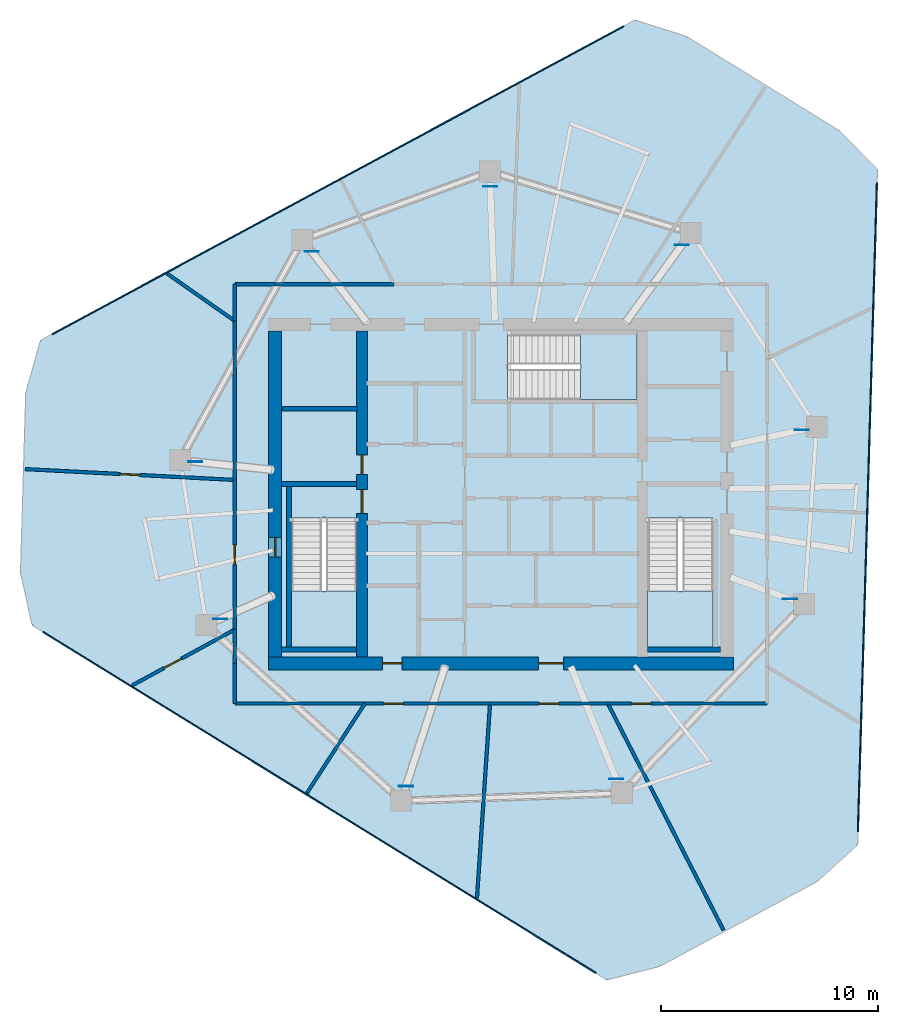
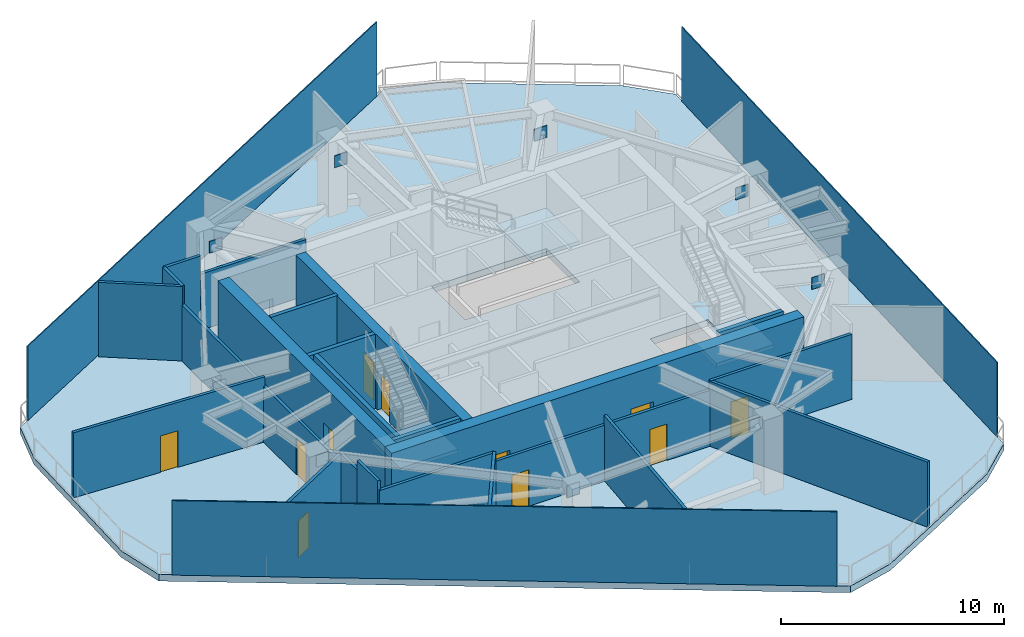
# One storey, part 2 of 6: 25 walls, 12 plates, 11 doors, 4 slabs, 11 openings, 3 elements without a shape of their own.
"""IFC4 building model written with IfcOpenShell, lengths in metres."""

import ifcopenshell
import ifcopenshell.guid

model = None  # the IFC model being written
_history = None  # IfcOwnerHistory: only IFC2X3 demands one
_inside = {}  # id of a spatial element -> (the spatial element, [elements in it])
_under = {}  # id of a project, library or spatial element -> (it, [spatial elements below it])
_declared = {}  # id of a project -> (the project, [libraries it declares])
_typed = {}  # id of a type object -> (the type object, [elements of that type])
_made_of = {}  # id of a material, layer set ... -> (it, [elements and type objects made of it])


def new_model(schema):
    """Start an empty IFC model of exactly this schema.

    Asked for "IFC4X3", IfcOpenShell would pick the latest addendum, in which some entities
    have other attributes; the version numbers below select the first issue.
    IFC2X3 requires an IfcOwnerHistory on every rooted entity: one is made here for all.
    """
    global model, _history
    if schema == "IFC4X3":
        model = ifcopenshell.file(schema_version=(4, 3, 0, 0))
    else:
        model = ifcopenshell.file(schema=schema)
    _inside.clear()
    _under.clear()
    _declared.clear()
    _typed.clear()
    _made_of.clear()
    _history = None
    if model.schema == "IFC2X3":
        org = make("IfcOrganization", Name="unknown")
        user = make(
            "IfcPersonAndOrganization",
            ThePerson=make("IfcPerson", FamilyName="unknown"),
            TheOrganization=org,
        )
        app = make(
            "IfcApplication",
            ApplicationDeveloper=org,
            Version="unknown",
            ApplicationFullName="unknown",
            ApplicationIdentifier="unknown",
        )
        _history = make(
            "IfcOwnerHistory",
            OwningUser=user,
            OwningApplication=app,
            ChangeAction="ADDED",
            CreationDate=0,
        )
    return model


def make(cls, **values):
    """One entity of the class cls with the attributes given. An attribute that is None is left unset."""
    return model.create_entity(
        cls, **{name: value for name, value in values.items() if value is not None}
    )


def rooted(cls, **values):
    """An entity with a GlobalId (a new one), such as an element, a storey or a relation."""
    return make(cls, GlobalId=ifcopenshell.guid.new(), OwnerHistory=_history, **values)


def si_unit(unit_type, name, prefix=None):
    """IfcSIUnit, for example si_unit("LENGTHUNIT", "METRE", prefix="MILLI")."""
    return make("IfcSIUnit", UnitType=unit_type, Prefix=prefix, Name=name)


def assignment(units):
    """IfcUnitAssignment: the units of a project."""
    return None if units is None else make("IfcUnitAssignment", Units=units)


def point(xyz):
    """IfcCartesianPoint."""
    return None if xyz is None else make("IfcCartesianPoint", Coordinates=xyz)


def direction(xyz):
    """IfcDirection."""
    return None if xyz is None else make("IfcDirection", DirectionRatios=xyz)


def frame(location, z_axis=None, x_axis=None):
    """IfcAxis2Placement3D, a coordinate frame: its origin and axes. An axis left out is left unset."""
    return make(
        "IfcAxis2Placement3D",
        Location=point(location),
        Axis=direction(z_axis),
        RefDirection=direction(x_axis),
    )


def frame_2d(location, x_axis=None):
    """IfcAxis2Placement2D, a coordinate frame in the plane: its origin and x axis."""
    return make(
        "IfcAxis2Placement2D", Location=point(location), RefDirection=direction(x_axis)
    )


def origin():
    """The frame at (0, 0, 0) with its axes left unset."""
    return frame((0.0, 0.0, 0.0))


def origin_2d():
    """The frame at (0, 0) in the plane with its x axis left unset."""
    return frame_2d((0.0, 0.0))


def place(relative_to, where):
    """IfcLocalPlacement: puts the frame where relative to a parent placement (None: the world)."""
    return make(
        "IfcLocalPlacement", PlacementRelTo=relative_to, RelativePlacement=where
    )


def context(
    kind, dimensions, precision=None, world=None, true_north=None, identifier=None
):
    """IfcGeometricRepresentationContext, for example the 3D "Model" context."""
    return make(
        "IfcGeometricRepresentationContext",
        ContextIdentifier=identifier,
        ContextType=kind,
        CoordinateSpaceDimension=dimensions,
        Precision=precision,
        WorldCoordinateSystem=world,
        TrueNorth=true_north,
    )


def subcontext(parent, identifier, kind, view, scale=None):
    """IfcGeometricRepresentationSubContext, for example "Body" below "Model"."""
    return make(
        "IfcGeometricRepresentationSubContext",
        ContextIdentifier=identifier,
        ContextType=kind,
        ParentContext=parent,
        TargetScale=scale,
        TargetView=view,
    )


def project(units=None, contexts=None):
    """IfcProject with its units and contexts."""
    return rooted(
        "IfcProject",
        Name="project",
        RepresentationContexts=contexts,
        UnitsInContext=assignment(units),
    )


def spatial(cls, under=None, at=None, **own):
    """A site, building, storey or space (cls), placed at a placement, below another one or the project."""
    s = rooted(cls, ObjectPlacement=at, **own)
    if under is not None:
        _under.setdefault(under.id(), (under, []))[1].append(s)
    return s


def polyline(points):
    """IfcPolyline through the points."""
    return make("IfcPolyline", Points=[point(p) for p in points])


def profile(cls, at=None, kind="AREA", **sizes):
    """A parametric profile (cls). Its sizes go by their IFC names, for example OverallWidth=200.0."""
    return make(cls, ProfileType=kind, Position=at, **sizes)


def rectangle(**sizes):
    """IfcRectangleProfileDef."""
    return profile("IfcRectangleProfileDef", **sizes)


def outline(outer, holes=None, kind="AREA"):
    """IfcArbitraryClosedProfileDef: a profile drawn as a closed curve; with holes, ...WithVoids."""
    if holes is None:
        return make("IfcArbitraryClosedProfileDef", ProfileType=kind, OuterCurve=outer)
    return make(
        "IfcArbitraryProfileDefWithVoids",
        ProfileType=kind,
        OuterCurve=outer,
        InnerCurves=holes,
    )


def extrude(swept, where, along, depth):
    """IfcExtrudedAreaSolid: the profile swept, set in the frame where, extruded along a direction by depth."""
    return make(
        "IfcExtrudedAreaSolid",
        SweptArea=swept,
        Position=where,
        ExtrudedDirection=direction(along),
        Depth=depth,
    )


def shape(context_of_items, identifier, shape_type, items):
    """IfcShapeRepresentation: the items that make up one representation, for example the "Body"."""
    return make(
        "IfcShapeRepresentation",
        ContextOfItems=context_of_items,
        RepresentationIdentifier=identifier,
        RepresentationType=shape_type,
        Items=items,
    )


def material(Name=None, Category=None):
    """IfcMaterial."""
    return make("IfcMaterial", Name=Name, Category=Category)


def layer(
    of_material, thickness, ventilated=None, Name=None, Category=None, Priority=None
):
    """IfcMaterialLayer: one layer of a wall or slab, of a material (None: an air gap)."""
    return make(
        "IfcMaterialLayer",
        Material=of_material,
        LayerThickness=thickness,
        IsVentilated=ventilated,
        Name=Name,
        Category=Category,
        Priority=Priority,
    )


def layer_set(layers, Name=None):
    """IfcMaterialLayerSet."""
    return make("IfcMaterialLayerSet", MaterialLayers=layers, LayerSetName=Name)


def made_of(thing, what):
    """Note that an element or type object is made of a material, layer set ...; save() writes the relation."""
    if what is not None:
        _made_of.setdefault(what.id(), (what, []))[1].append(thing)
    return thing


def type_object(cls, material=None, **own):
    """A type object (cls), such as IfcWallType, which elements share."""
    return made_of(rooted(cls, **own), material)


def element(
    cls,
    number,
    at=None,
    inside=None,
    cuts=None,
    type_object=None,
    material=None,
    context=None,
    identifier="Body",
    shape_type=None,
    held_by="IfcProductDefinitionShape",
    body=None,
    shapes=None,
    **own,
):
    """One element of the class cls, such as IfcWall. Its Tag is "e" and its number.

    at: its placement. inside: the storey or other place that contains it. cuts: it is an
    opening in that element (IfcRelVoidsElement). A single representation is given by context,
    identifier, shape_type and body (its items); several are given by shapes. held_by: the class
    of the entity that holds the representations. save() writes the other relations.
    """
    e = rooted(cls, Tag="e%d" % number, ObjectPlacement=at, **own)
    if body is not None:
        shapes = [shape(context, identifier, shape_type, body)]
    if shapes is not None:
        e.Representation = make(held_by, Representations=shapes)
    if inside is not None:
        _inside.setdefault(inside.id(), (inside, []))[1].append(e)
    if cuts is not None:
        rooted(
            "IfcRelVoidsElement", RelatingBuildingElement=cuts, RelatedOpeningElement=e
        )
    if type_object is not None:
        _typed.setdefault(type_object.id(), (type_object, []))[1].append(e)
    return made_of(e, material)


def fill(opening, filler):
    """IfcRelFillsElement: the door or window that sits in an opening."""
    return rooted(
        "IfcRelFillsElement",
        RelatingOpeningElement=opening,
        RelatedBuildingElement=filler,
    )


def aggregate(whole, parts):
    """IfcRelAggregates: a whole, such as a stair, and the parts it consists of."""
    return rooted("IfcRelAggregates", RelatingObject=whole, RelatedObjects=parts)


def save(model, path):
    """Write the relations noted so far, then the file.

    IfcRelAggregates (storeys below a building ...), IfcRelContainedInSpatialStructure (elements
    in a storey), IfcRelDefinesByType, IfcRelAssociatesMaterial and IfcRelDeclares: one each for
    every whole, place, type object, material and project.
    """
    for whole, parts in _under.values():
        aggregate(whole, parts)
    for where, things in _inside.values():
        rooted(
            "IfcRelContainedInSpatialStructure",
            RelatedElements=things,
            RelatingStructure=where,
        )
    for kind, things in _typed.values():
        rooted("IfcRelDefinesByType", RelatedObjects=things, RelatingType=kind)
    for what, things in _made_of.values():
        rooted("IfcRelAssociatesMaterial", RelatedObjects=things, RelatingMaterial=what)
    for by, libraries in _declared.values():
        rooted("IfcRelDeclares", RelatingContext=by, RelatedDefinitions=libraries)
    model.write(path)


model = new_model("IFC4")

# Units and contexts
model_context = context("Model", 3, precision=1e-05, world=origin(), true_north=direction((0.0, 1.0)))
body_context = subcontext(model_context, "Body", "Model", "MODEL_VIEW")
ifc_project = project(units=[si_unit("LENGTHUNIT", "METRE"), si_unit("AREAUNIT", "SQUARE_METRE"), si_unit("VOLUMEUNIT", "CUBIC_METRE"), si_unit("PLANEANGLEUNIT", "RADIAN"), si_unit("MASSUNIT", "GRAM", prefix="KILO")], contexts=[model_context])

# Site, building, storey
site_placement = place(None, origin())
site = spatial("IfcSite", under=ifc_project, at=site_placement, CompositionType="ELEMENT")
building_placement = place(site_placement, origin())
building = spatial("IfcBuilding", under=site, at=building_placement, Name="Qarnah Convention Tower", CompositionType="ELEMENT")
storey_placement = place(building_placement, frame((0.0, 0.0, 172.5)))
storey = spatial("IfcBuildingStorey", under=building, at=storey_placement, Name="L46", CompositionType="ELEMENT", Elevation=172.5)

# Plates
ifc_material_1 = material(Name="Structural steel S355JR", Category="steel")
ifc_layer_1 = layer(ifc_material_1, 0.028076171875)
ifc_layer_set_1 = layer_set([ifc_layer_1], Name="Structural steel S355JR")
plate_type_1 = type_object("IfcPlateType", Name="PLT-FLANGE-28", PredefinedType="USERDEFINED", material=ifc_layer_set_1)
for number, where, z_axis, x_axis, name in (
    (1, (51.041015625, 29.342041015625, 2.795166015625), (0.0, 0.0, 1.0), (1.0, 0.0, 0.0), "L46 outrigger node flange plate 01"),
    (2, (45.51708984375, 37.847900390625, 2.795166015625), (0.0, 0.0, 1.0), (1.0, 0.0, 0.0), "L46 outrigger node flange plate 02"),
    (3, (36.7060546875, 40.541015625, 2.795166015625), (0.0, 0.0, 1.0), (1.0, 0.0, 0.0), "L46 outrigger node flange plate 03"),
    (4, (28.488037109375, 37.550048828125, 2.795166015625), (0.0, 0.0, 1.0), (1.0, 0.0, 0.0), "L46 outrigger node flange plate 04"),
    (5, (23.1279296875, 27.87890625, 2.795166015625), (0.0, 0.0, 1.0), (1.0, 0.0, 0.0), "L46 outrigger node flange plate 05"),
    (6, (24.27294921875, 20.64501953125, 2.795166015625), (0.0, 0.0, 1.0), (1.0, 0.0, 0.0), "L46 outrigger node flange plate 06"),
    (7, (32.826904296875, 12.943115234375, 2.795166015625), (0.0, 0.0, 1.0), (1.0, 0.0, 0.0), "L46 outrigger node flange plate 07"),
    (8, (42.5009765625, 13.280029296875, 2.795166015625), (0.0, 0.0, 1.0), (1.0, 0.0, 0.0), "L46 outrigger node flange plate 08"),
    (9, (50.4970703125, 21.56005859375, 2.795166015625), (0.0, 0.0, 1.0), (1.0, 0.0, 0.0), "L46 outrigger node flange plate 09"),
):
    element("IfcPlate", number, at=place(storey_placement, frame(where, z_axis=z_axis, x_axis=x_axis)), inside=storey, type_object=plate_type_1, Name=name, ObjectType="FLANGE_PLATE", PredefinedType="USERDEFINED", context=body_context, shape_type="SweptSolid", body=[
        extrude(rectangle(XDim=0.64990234375, YDim=0.028076171875, at=origin_2d()), origin(), (0.0, 0.0, 1.0), 0.64990234375),
    ])
ifc_material_2 = material(Name="Black anodised aluminium", Category="aluminium")
ifc_layer_2 = layer(ifc_material_2, 0.054931640625)
ifc_layer_set_2 = layer_set([ifc_layer_2], Name="Black anodised aluminium")
plate_type_2 = type_object("IfcPlateType", Name="SCR-SKG-24", PredefinedType="USERDEFINED", material=ifc_layer_set_2)
plate_1_placement = place(storey_placement, frame((28.842041015625, 12.193115234375, 0.0), z_axis=(0.0, 0.0, 1.0), x_axis=(-0.851001814533, 0.525162747786, 0.0)))
element("IfcPlate", 10, at=plate_1_placement, inside=storey, type_object=plate_type_2, Name="L46 mechanical plant acoustic solar screen 1", ObjectType="SCREEN", PredefinedType="USERDEFINED", context=body_context, shape_type="SweptSolid", body=[
    extrude(rectangle(XDim=29.8798828125, YDim=0.054931640625, at=origin_2d()), origin(), (0.0, 0.0, 1.0), 4.080078125),
])
plate_2_placement = place(storey_placement, frame((54.070068359375, 25.7880859375, 0.0), z_axis=(0.0, 0.0, 1.0), x_axis=(-0.029312096335, -0.999570308187, 0.0)))
element("IfcPlate", 11, at=plate_2_placement, inside=storey, type_object=plate_type_2, Name="L46 mechanical plant acoustic solar screen 2", ObjectType="SCREEN", PredefinedType="USERDEFINED", context=body_context, shape_type="SweptSolid", body=[
    extrude(rectangle(XDim=29.87890625, YDim=0.054931640625, at=origin_2d()), origin(), (0.0, 0.0, 1.0), 4.080078125),
])
plate_3_placement = place(storey_placement, frame((29.681884765625, 40.837890625, 0.0), z_axis=(0.0, 0.0, 1.0), x_axis=(0.880320091497, 0.474380160322, 0.0)))
element("IfcPlate", 12, at=plate_3_placement, inside=storey, type_object=plate_type_2, Name="L46 mechanical plant acoustic solar screen 3", ObjectType="SCREEN", PredefinedType="USERDEFINED", context=body_context, shape_type="SweptSolid", body=[
    extrude(rectangle(XDim=29.8779296875, YDim=0.054931640625, at=origin_2d()), origin(), (0.0, 0.0, 1.0), 4.080078125),
])

# Stair, slab
ifc_material_3 = material(Name="Concrete C50/60", Category="concrete")
stair_type = type_object("IfcStairType", Name="STR-PLT", PredefinedType="HALF_TURN_STAIR", material=ifc_material_3)
stair_1_placement = place(storey_placement, origin())
stair_1 = element("IfcStair", 13, at=stair_1_placement, inside=storey, type_object=stair_type, Name="L46 Core exit stair ST-1", PredefinedType="HALF_TURN_STAIR")
ifc_layer_3 = layer(ifc_material_3, 0.199951171875)
ifc_layer_set_3 = layer_set([ifc_layer_3], Name="Concrete C50/60")
slab_type_1 = type_object("IfcSlabType", Name="SLB-LANDING-200", PredefinedType="LANDING", material=ifc_layer_set_3)
slab_1_placement = place(storey_placement, frame((0.0, 0.0, 2.050048828125)))
slab_1 = element("IfcSlab", 14, at=slab_1_placement, type_object=slab_type_1, Name="ST-1 landing 1", PredefinedType="LANDING", context=body_context, shape_type="SweptSolid", body=[
    extrude(outline(polyline([(27.550048828125, 21.93994140625), (27.550048828125, 19.35009765625), (30.550048828125, 19.35009765625), (30.550048828125, 21.93994140625), (27.550048828125, 21.93994140625)])), origin(), (0.0, 0.0, 1.0), 0.199951171875),
])
aggregate(stair_1, [slab_1])

stair_2_placement = place(storey_placement, origin())
stair_2 = element("IfcStair", 15, at=stair_2_placement, inside=storey, type_object=stair_type, Name="L46 Core exit stair ST-2", PredefinedType="HALF_TURN_STAIR")
slab_2_placement = place(storey_placement, frame((0.0, 0.0, 2.050048828125)))
slab_2 = element("IfcSlab", 16, at=slab_2_placement, type_object=slab_type_1, Name="ST-2 landing 1", PredefinedType="LANDING", context=body_context, shape_type="SweptSolid", body=[
    extrude(outline(polyline([(43.949951171875, 21.93994140625), (43.949951171875, 19.35009765625), (46.949951171875, 19.35009765625), (46.949951171875, 21.93994140625), (43.949951171875, 21.93994140625)])), origin(), (0.0, 0.0, 1.0), 0.199951171875),
])
aggregate(stair_2, [slab_2])

stair_3_placement = place(storey_placement, origin())
stair_3 = element("IfcStair", 17, at=stair_3_placement, inside=storey, type_object=stair_type, Name="L46 Core exit stair ST-3", PredefinedType="HALF_TURN_STAIR")
slab_3_placement = place(storey_placement, frame((0.0, 0.0, 2.050048828125)))
slab_3 = element("IfcSlab", 18, at=slab_3_placement, type_object=slab_type_1, Name="ST-3 landing 1", PredefinedType="LANDING", context=body_context, shape_type="SweptSolid", body=[
    extrude(outline(polyline([(40.860107421875, 30.75), (43.449951171875, 30.75), (43.449951171875, 33.75), (40.860107421875, 33.75), (40.860107421875, 30.75)])), origin(), (0.0, 0.0, 1.0), 0.199951171875),
])
aggregate(stair_3, [slab_3])

# Slab
ifc_layer_4 = layer(ifc_material_3, 0.360107421875)
ifc_layer_set_4 = layer_set([ifc_layer_4], Name="Concrete C50/60")
slab_type_2 = type_object("IfcSlabType", Name="SLB-PLT-360", PredefinedType="FLOOR", material=ifc_layer_set_4)
slab_4_placement = place(storey_placement, frame((0.0, 0.0, -0.360107421875)))
element("IfcSlab", 19, at=slab_4_placement, inside=storey, type_object=slab_type_2, Name="L46 structural floor slab", PredefinedType="FLOOR", context=body_context, shape_type="SweptSolid", body=[
    extrude(outline(polyline([(43.361083984375, 48.2099609375), (16.001953125, 33.467041015625), (15.324951171875, 31.053955078125), (15.0830078125, 22.802001953125), (15.616943359375, 20.35400390625), (42.06591796875, 4.031982421875), (44.493896484375, 4.65087890625), (51.760986328125, 8.568115234375), (53.614013671875, 10.2548828125), (54.52490234375, 41.321044921875), (52.77392578125, 43.114013671875), (45.7490234375, 47.448974609375), (43.361083984375, 48.2099609375)]), holes=[polyline([(27.550048828125, 25.300048828125), (27.550048828125, 19.35009765625), (30.550048828125, 19.35009765625), (30.550048828125, 25.300048828125), (27.550048828125, 25.300048828125)]), polyline([(43.949951171875, 25.300048828125), (43.949951171875, 19.35009765625), (46.949951171875, 19.35009765625), (46.949951171875, 25.300048828125), (43.949951171875, 25.300048828125)]), polyline([(37.5, 30.75), (43.449951171875, 30.75), (43.449951171875, 33.75), (37.5, 33.75), (37.5, 30.75)])]), origin(), (0.0, 0.0, 1.0), 0.360107421875),
])

# Wall, openings, doors
ifc_material_4 = material(Name="Concrete C60/75", Category="concrete")
ifc_layer_5 = layer(ifc_material_4, 0.60009765625)
ifc_layer_set_5 = layer_set([ifc_layer_5], Name="Concrete C60/75")
wall_type_1 = type_object("IfcWallType", Name="WL-CORE-600", PredefinedType="SHEAR", material=ifc_layer_set_5)
wall_1_placement = place(storey_placement, frame((26.5, 18.60009765625, 0.0), z_axis=(0.0, 0.0, 1.0), x_axis=(1.0, 0.0, 0.0)))
wall_1 = element("IfcWall", 20, at=wall_1_placement, inside=storey, type_object=wall_type_1, Name="L46 core south shear wall", PredefinedType="SHEAR", context=body_context, shape_type="SweptSolid", body=[
    extrude(rectangle(XDim=21.39990234375, YDim=0.60009765625, at=frame_2d((10.699951171875, 0.0))), origin(), (0.0, 0.0, 1.0), 4.080078125),
])
opening_1_placement = place(wall_1_placement, frame((12.425048828125, 0.0, 0.0)))
opening_1 = element("IfcOpeningElement", 21, at=opening_1_placement, cuts=wall_1, Name="Opening D-4607", PredefinedType="OPENING", context=body_context, shape_type="SweptSolid", body=[
    extrude(rectangle(XDim=1.14990234375, YDim=2.14990234375, at=frame_2d((0.574951171875, 1.074951171875))), frame((0.0, 0.31005859375, 0.0), z_axis=(0.0, -1.0, 0.0), x_axis=(1.0, 0.0, 0.0)), (0.0, 0.0, 1.0), 0.6201171875),
])
opening_2_placement = place(wall_1_placement, frame((5.25, 0.0, 0.0)))
opening_2 = element("IfcOpeningElement", 22, at=opening_2_placement, cuts=wall_1, Name="Opening D-4613", PredefinedType="OPENING", context=body_context, shape_type="SweptSolid", body=[
    extrude(rectangle(XDim=0.89990234375, YDim=2.10009765625, at=frame_2d((0.449951171875, 1.050048828125))), frame((0.0, 0.31005859375, 0.0), z_axis=(0.0, -1.0, 0.0), x_axis=(1.0, 0.0, 0.0)), (0.0, 0.0, 1.0), 0.6201171875),
])
door_type_1 = type_object("IfcDoorType", Name="DT-LOBBY-1150", OperationType="NOTDEFINED", PredefinedType="DOOR", material=ifc_material_1)
door_1_placement = place(opening_1_placement, origin())
door_1 = element("IfcDoor", 23, at=door_1_placement, inside=storey, type_object=door_type_1, Name="Door D-4607", OperationType="SINGLE_SWING_LEFT", OverallHeight=2.14990234375, OverallWidth=1.14990234375, PredefinedType="DOOR", context=body_context, shape_type="SweptSolid", body=[
    extrude(rectangle(XDim=1.14990234375, YDim=2.14990234375, at=frame_2d((0.574951171875, 1.074951171875))), frame((0.0, 0.02490234375, 0.0), z_axis=(0.0, -1.0, 0.0), x_axis=(1.0, 0.0, 0.0)), (0.0, 0.0, 1.0), 0.050048828125),
])
fill(opening_1, door_1)
door_type_2 = type_object("IfcDoorType", Name="DT-RISER-900", OperationType="NOTDEFINED", PredefinedType="DOOR", material=ifc_material_1)
door_2_placement = place(opening_2_placement, origin())
door_2 = element("IfcDoor", 24, at=door_2_placement, inside=storey, type_object=door_type_2, Name="Door D-4613", OperationType="SINGLE_SWING_LEFT", OverallHeight=2.10009765625, OverallWidth=0.89990234375, PredefinedType="DOOR", context=body_context, shape_type="SweptSolid", body=[
    extrude(rectangle(XDim=0.89990234375, YDim=2.10009765625, at=frame_2d((0.449951171875, 1.050048828125))), frame((0.0, 0.02490234375, 0.0), z_axis=(0.0, -1.0, 0.0), x_axis=(1.0, 0.0, 0.0)), (0.0, 0.0, 1.0), 0.050048828125),
])
fill(opening_2, door_2)

# Wall, opening, door
wall_2_placement = place(storey_placement, frame((26.800048828125, 18.89990234375, 0.0), z_axis=(0.0, 0.0, 1.0), x_axis=(0.0, 1.0, 0.0)))
wall_2 = element("IfcWall", 25, at=wall_2_placement, inside=storey, type_object=wall_type_1, Name="L46 core west shear wall", PredefinedType="SHEAR", context=body_context, shape_type="SweptSolid", body=[
    extrude(rectangle(XDim=15.0, YDim=0.60009765625, at=frame_2d((7.5, 0.0))), origin(), (0.0, 0.0, 1.0), 4.080078125),
])
opening_3_placement = place(wall_2_placement, frame((4.60009765625, 0.0, 0.02001953125)))
opening_3 = element("IfcOpeningElement", 26, at=opening_3_placement, cuts=wall_2, Name="Opening HT-4601", PredefinedType="OPENING", context=body_context, shape_type="SweptSolid", body=[
    extrude(rectangle(XDim=0.89990234375, YDim=2.02001953125, at=frame_2d((0.449951171875, 1.010009765625))), frame((0.0, 0.31005859375, 0.0), z_axis=(0.0, -1.0, 0.0), x_axis=(1.0, 0.0, 0.0)), (0.0, 0.0, 1.0), 0.6201171875),
])
door_type_3 = type_object("IfcDoorType", Name="DT-HATCH-900", OperationType="NOTDEFINED", PredefinedType="TRAPDOOR", material=ifc_material_1)
door_3_placement = place(opening_3_placement, origin())
door_3 = element("IfcDoor", 27, at=door_3_placement, inside=storey, type_object=door_type_3, Name="L46 mechanical plenum access trapdoor", OperationType="SINGLE_SWING_LEFT", OverallHeight=2.02001953125, OverallWidth=0.89990234375, PredefinedType="TRAPDOOR", context=body_context, shape_type="SweptSolid", body=[
    extrude(rectangle(XDim=0.89990234375, YDim=2.02001953125, at=frame_2d((0.449951171875, 1.010009765625))), frame((0.0, 0.02490234375, 0.0), z_axis=(0.0, -1.0, 0.0), x_axis=(1.0, 0.0, 0.0)), (0.0, 0.0, 1.0), 0.050048828125),
])
fill(opening_3, door_3)

# Wall, openings, doors
ifc_layer_6 = layer(ifc_material_4, 0.5)
ifc_layer_set_6 = layer_set([ifc_layer_6], Name="Concrete C60/75")
wall_type_2 = type_object("IfcWallType", Name="WL-CORE-INT-400", PredefinedType="SHEAR", material=ifc_layer_set_6)
wall_3_placement = place(storey_placement, frame((30.800048828125, 18.89990234375, 0.0), z_axis=(0.0, 0.0, 1.0), x_axis=(0.0, 1.0, 0.0)))
wall_3 = element("IfcWall", 28, at=wall_3_placement, inside=storey, type_object=wall_type_2, Name="L46 core west spine shear wall", PredefinedType="SHEAR", context=body_context, shape_type="SweptSolid", body=[
    extrude(rectangle(XDim=15.0, YDim=0.5, at=frame_2d((7.5, 0.0))), origin(), (0.0, 0.0, 1.0), 4.080078125),
])
opening_4_placement = place(wall_3_placement, frame((6.60009765625, 0.0, 0.0)))
opening_4 = element("IfcOpeningElement", 29, at=opening_4_placement, cuts=wall_3, Name="Opening D-4601", PredefinedType="OPENING", context=body_context, shape_type="SweptSolid", body=[
    extrude(rectangle(XDim=1.10009765625, YDim=2.14990234375, at=frame_2d((0.550048828125, 1.074951171875))), frame((0.0, 0.260009765625, 0.0), z_axis=(0.0, -1.0, 0.0), x_axis=(1.0, 0.0, 0.0)), (0.0, 0.0, 1.0), 0.52001953125),
])
opening_5_placement = place(wall_3_placement, frame((8.39990234375, 0.0, 0.0)))
opening_5 = element("IfcOpeningElement", 30, at=opening_5_placement, cuts=wall_3, Name="Opening D-4608", PredefinedType="OPENING", context=body_context, shape_type="SweptSolid", body=[
    extrude(rectangle(XDim=0.89990234375, YDim=2.10009765625, at=frame_2d((0.449951171875, 1.050048828125))), frame((0.0, 0.260009765625, 0.0), z_axis=(0.0, -1.0, 0.0), x_axis=(1.0, 0.0, 0.0)), (0.0, 0.0, 1.0), 0.52001953125),
])
door_4_placement = place(opening_5_placement, origin())
door_4 = element("IfcDoor", 31, at=door_4_placement, inside=storey, type_object=door_type_2, Name="Door D-4608", OperationType="SINGLE_SWING_RIGHT", OverallHeight=2.10009765625, OverallWidth=0.89990234375, PredefinedType="DOOR", context=body_context, shape_type="SweptSolid", body=[
    extrude(rectangle(XDim=0.89990234375, YDim=2.10009765625, at=frame_2d((0.449951171875, 1.050048828125))), frame((0.0, 0.02490234375, 0.0), z_axis=(0.0, -1.0, 0.0), x_axis=(1.0, 0.0, 0.0)), (0.0, 0.0, 1.0), 0.050048828125),
])
fill(opening_5, door_4)
door_type_4 = type_object("IfcDoorType", Name="DT-STAIR-1100", OperationType="NOTDEFINED", PredefinedType="DOOR", material=ifc_material_1)
door_5_placement = place(opening_4_placement, origin())
door_5 = element("IfcDoor", 32, at=door_5_placement, inside=storey, type_object=door_type_4, Name="Door D-4601", OperationType="SINGLE_SWING_LEFT", OverallHeight=2.14990234375, OverallWidth=1.10009765625, PredefinedType="DOOR", context=body_context, shape_type="SweptSolid", body=[
    extrude(rectangle(XDim=1.10009765625, YDim=2.14990234375, at=frame_2d((0.550048828125, 1.074951171875))), frame((0.0, 0.02490234375, 0.0), z_axis=(0.0, -1.0, 0.0), x_axis=(1.0, 0.0, 0.0)), (0.0, 0.0, 1.0), 0.050048828125),
])
fill(opening_4, door_5)

# Walls
ifc_material_5 = material(Name="Concrete C45/55", Category="concrete")
ifc_layer_7 = layer(ifc_material_5, 0.199951171875)
ifc_layer_set_7 = layer_set([ifc_layer_7], Name="Concrete C45/55")
wall_type_3 = type_object("IfcWallType", Name="WL-CORE-PART-200", PredefinedType="SOLIDWALL", material=ifc_layer_set_7)
wall_4_placement = place(storey_placement, frame((27.14990234375, 30.320068359375, 0.0), z_axis=(0.0, 0.0, 1.0), x_axis=(1.0, 0.0, 0.0)))
element("IfcWall", 33, at=wall_4_placement, inside=storey, type_object=wall_type_3, Name="L46 interior wall IW-L46-ELRN", PredefinedType="SOLIDWALL", context=body_context, shape_type="SweptSolid", body=[
    extrude(rectangle(XDim=3.4501953125, YDim=0.199951171875, at=frame_2d((1.72509765625, 0.0))), origin(), (0.0, 0.0, 1.0), 4.080078125),
])
ifc_layer_8 = layer(ifc_material_4, 0.219970703125)
ifc_layer_set_8 = layer_set([ifc_layer_8], Name="Concrete C60/75")
wall_type_4 = type_object("IfcWallType", Name="WL-CORE-STAIR-220", PredefinedType="SHEAR", material=ifc_layer_set_8)
wall_5_placement = place(storey_placement, frame((27.10009765625, 26.860107421875, 0.0), z_axis=(0.0, 0.0, 1.0), x_axis=(1.0, 0.0, 0.0)))
element("IfcWall", 34, at=wall_5_placement, inside=storey, type_object=wall_type_4, Name="L46 stair shaft shear wall SW-L46-ST1N", PredefinedType="SHEAR", context=body_context, shape_type="SweptSolid", body=[
    extrude(rectangle(XDim=3.449951171875, YDim=0.219970703125, at=frame_2d((1.72509765625, 0.0))), origin(), (0.0, 0.0, 1.0), 4.080078125),
])
wall_6_placement = place(storey_placement, frame((27.43994140625, 19.35009765625, 0.0), z_axis=(0.0, 0.0, 1.0), x_axis=(0.0, 1.0, 0.0)))
element("IfcWall", 35, at=wall_6_placement, inside=storey, type_object=wall_type_4, Name="L46 stair shaft shear wall SW-L46-ST1W", PredefinedType="SHEAR", context=body_context, shape_type="SweptSolid", body=[
    extrude(rectangle(XDim=7.39990234375, YDim=0.219970703125, at=frame_2d((3.699951171875, 0.0))), origin(), (0.0, 0.0, 1.0), 4.080078125),
])
wall_7_placement = place(storey_placement, frame((27.10009765625, 19.239990234375, 0.0), z_axis=(0.0, 0.0, 1.0), x_axis=(1.0, 0.0, 0.0)))
element("IfcWall", 36, at=wall_7_placement, inside=storey, type_object=wall_type_4, Name="L46 stair shaft shear wall SW-L46-ST1S", PredefinedType="SHEAR", context=body_context, shape_type="SweptSolid", body=[
    extrude(rectangle(XDim=3.449951171875, YDim=0.219970703125, at=frame_2d((1.72509765625, 0.0))), origin(), (0.0, 0.0, 1.0), 4.080078125),
])
wall_8_placement = place(storey_placement, frame((43.949951171875, 19.239990234375, 0.0), z_axis=(0.0, 0.0, 1.0), x_axis=(1.0, 0.0, 0.0)))
element("IfcWall", 37, at=wall_8_placement, inside=storey, type_object=wall_type_4, Name="L46 stair shaft shear wall SW-L46-ST2S", PredefinedType="SHEAR", context=body_context, shape_type="SweptSolid", body=[
    extrude(rectangle(XDim=3.35009765625, YDim=0.219970703125, at=frame_2d((1.675048828125, 0.0))), origin(), (0.0, 0.0, 1.0), 4.080078125),
])
ifc_material_6 = material(Name="Gypsum partition board")
ifc_layer_9 = layer(ifc_material_6, 0.14990234375)
ifc_layer_set_9 = layer_set([ifc_layer_9], Name="Gypsum partition board")
wall_type_5 = type_object("IfcWallType", Name="WL-SUITE-150", PredefinedType="PARTITIONING", material=ifc_layer_set_9)
wall_9_placement = place(storey_placement, frame((21.841064453125, 36.532958984375, 0.0), z_axis=(0.0, 0.0, 1.0), x_axis=(0.819014305643, -0.573773097271, 0.0)))
element("IfcWall", 38, at=wall_9_placement, inside=storey, type_object=wall_type_5, Name="L46 interior wall IW-L46-R-10", PredefinedType="PARTITIONING", context=body_context, shape_type="SweptSolid", body=[
    extrude(rectangle(XDim=3.7958984375, YDim=0.14990234375, at=frame_2d((1.89794921875, 0.0))), origin(), (0.0, 0.0, 1.0), 4.080078125),
])
wall_10_placement = place(storey_placement, frame((24.949951171875, 34.35498046875, 0.0), z_axis=(0.0, 0.0, 1.0), x_axis=(0.0, 1.0, 0.0)))
element("IfcWall", 39, at=wall_10_placement, inside=storey, type_object=wall_type_5, Name="L46 interior wall IW-L46-R-11", PredefinedType="PARTITIONING", context=body_context, shape_type="SweptSolid", body=[
    extrude(rectangle(XDim=1.695068359375, YDim=0.14990234375, at=frame_2d((0.84765625, 0.0))), origin(), (0.0, 0.0, 1.0), 4.080078125),
])
wall_11_placement = place(storey_placement, frame((24.949951171875, 36.050048828125, 0.0), z_axis=(0.0, 0.0, 1.0), x_axis=(1.0, 0.0, 0.0)))
element("IfcWall", 40, at=wall_11_placement, inside=storey, type_object=wall_type_5, Name="L46 interior wall IW-L46-R-12", PredefinedType="PARTITIONING", context=body_context, shape_type="SweptSolid", body=[
    extrude(rectangle(XDim=1.85009765625, YDim=0.14990234375, at=frame_2d((0.925048828125, 0.0))), origin(), (0.0, 0.0, 1.0), 4.080078125),
])
wall_12_placement = place(storey_placement, frame((26.800048828125, 36.050048828125, 0.0), z_axis=(0.0, 0.0, 1.0), x_axis=(1.0, 0.0, 0.0)))
element("IfcWall", 41, at=wall_12_placement, inside=storey, type_object=wall_type_5, Name="L46 interior wall IW-L46-R-13", PredefinedType="PARTITIONING", context=body_context, shape_type="SweptSolid", body=[
    extrude(rectangle(XDim=5.48291015625, YDim=0.14990234375, at=frame_2d((2.741455078125, 0.0))), origin(), (0.0, 0.0, 1.0), 3.06494140625),
])

# Wall, opening, door
wall_13_placement = place(storey_placement, frame((15.302001953125, 27.541015625, 0.0), z_axis=(0.0, 0.0, 1.0), x_axis=(0.998665029895, -0.051654216334, 0.0)))
wall_13 = element("IfcWall", 42, at=wall_13_placement, inside=storey, type_object=wall_type_5, Name="L46 interior wall IW-L46-R-14", PredefinedType="PARTITIONING", context=body_context, shape_type="SweptSolid", body=[
    extrude(rectangle(XDim=9.660888671875, YDim=0.14990234375, at=frame_2d((4.83056640625, 0.0))), origin(), (0.0, 0.0, 1.0), 3.56494140625),
])
opening_6_placement = place(wall_13_placement, frame((4.3798828125, 0.0, 0.0)))
opening_6 = element("IfcOpeningElement", 43, at=opening_6_placement, cuts=wall_13, Name="Opening D-4622", PredefinedType="OPENING", context=body_context, shape_type="SweptSolid", body=[
    extrude(rectangle(XDim=0.89990234375, YDim=2.0, at=frame_2d((0.449951171875, 1.0))), frame((0.0, 0.0849609375, 0.0), z_axis=(0.0, -1.0, 0.0), x_axis=(1.0, 0.0, 0.0)), (0.0, 0.0, 1.0), 0.169921875),
])
door_type_5 = type_object("IfcDoorType", Name="DT-PLANT-900", OperationType="NOTDEFINED", PredefinedType="DOOR", material=ifc_material_1)
door_6_placement = place(opening_6_placement, origin())
door_6 = element("IfcDoor", 44, at=door_6_placement, inside=storey, type_object=door_type_5, Name="Door D-4622", OperationType="SINGLE_SWING_RIGHT", OverallHeight=2.0, OverallWidth=0.89990234375, PredefinedType="DOOR", context=body_context, shape_type="SweptSolid", body=[
    extrude(rectangle(XDim=0.89990234375, YDim=2.0, at=frame_2d((0.449951171875, 1.0))), frame((0.0, 0.02490234375, 0.0), z_axis=(0.0, -1.0, 0.0), x_axis=(1.0, 0.0, 0.0)), (0.0, 0.0, 1.0), 0.050048828125),
])
fill(opening_6, door_6)

# Wall
wall_14_placement = place(storey_placement, frame((24.949951171875, 27.0419921875, 0.0), z_axis=(0.0, 0.0, 1.0), x_axis=(0.0, 1.0, 0.0)))
element("IfcWall", 45, at=wall_14_placement, inside=storey, type_object=wall_type_5, Name="L46 interior wall IW-L46-R-15", PredefinedType="PARTITIONING", context=body_context, shape_type="SweptSolid", body=[
    extrude(rectangle(XDim=7.31298828125, YDim=0.14990234375, at=frame_2d((3.656494140625, 0.0))), origin(), (0.0, 0.0, 1.0), 3.06494140625),
])

# Wall, opening, door
wall_15_placement = place(storey_placement, frame((20.22802734375, 17.589111328125, 0.0), z_axis=(0.0, 0.0, 1.0), x_axis=(0.878422694628, 0.47788447303, 0.0)))
wall_15 = element("IfcWall", 46, at=wall_15_placement, inside=storey, type_object=wall_type_5, Name="L46 interior wall IW-L46-R-16", PredefinedType="PARTITIONING", context=body_context, shape_type="SweptSolid", body=[
    extrude(rectangle(XDim=5.37548828125, YDim=0.14990234375, at=frame_2d((2.687744140625, 0.0))), origin(), (0.0, 0.0, 1.0), 3.56494140625),
])
opening_7_placement = place(wall_15_placement, frame((1.6669921875, 0.0, 0.0)))
opening_7 = element("IfcOpeningElement", 47, at=opening_7_placement, cuts=wall_15, Name="Opening D-4624", PredefinedType="OPENING", context=body_context, shape_type="SweptSolid", body=[
    extrude(rectangle(XDim=0.89990234375, YDim=2.0, at=frame_2d((0.449951171875, 1.0))), frame((0.0, 0.0849609375, 0.0), z_axis=(0.0, -1.0, 0.0), x_axis=(1.0, 0.0, 0.0)), (0.0, 0.0, 1.0), 0.169921875),
])
door_7_placement = place(opening_7_placement, origin())
door_7 = element("IfcDoor", 48, at=door_7_placement, inside=storey, type_object=door_type_5, Name="Door D-4624", OperationType="SINGLE_SWING_RIGHT", OverallHeight=2.0, OverallWidth=0.89990234375, PredefinedType="DOOR", context=body_context, shape_type="SweptSolid", body=[
    extrude(rectangle(XDim=0.89990234375, YDim=2.0, at=frame_2d((0.449951171875, 1.0))), frame((0.0, 0.02490234375, 0.0), z_axis=(0.0, -1.0, 0.0), x_axis=(1.0, 0.0, 0.0)), (0.0, 0.0, 1.0), 0.050048828125),
])
fill(opening_7, door_7)

wall_16_placement = place(storey_placement, frame((24.949951171875, 20.157958984375, 0.0), z_axis=(0.0, 0.0, 1.0), x_axis=(0.0, 1.0, 0.0)))
wall_16 = element("IfcWall", 49, at=wall_16_placement, inside=storey, type_object=wall_type_5, Name="L46 interior wall IW-L46-R-17", PredefinedType="PARTITIONING", context=body_context, shape_type="SweptSolid", body=[
    extrude(rectangle(XDim=6.884033203125, YDim=0.14990234375, at=frame_2d((3.44189453125, 0.0))), origin(), (0.0, 0.0, 1.0), 3.06494140625),
])
opening_8_placement = place(wall_16_placement, frame((2.991943359375, 0.0, 0.0)))
opening_8 = element("IfcOpeningElement", 50, at=opening_8_placement, cuts=wall_16, Name="Opening D-4623", PredefinedType="OPENING", context=body_context, shape_type="SweptSolid", body=[
    extrude(rectangle(XDim=0.89990234375, YDim=2.0, at=frame_2d((0.449951171875, 1.0))), frame((0.0, 0.0849609375, 0.0), z_axis=(0.0, -1.0, 0.0), x_axis=(1.0, 0.0, 0.0)), (0.0, 0.0, 1.0), 0.169921875),
])
door_8_placement = place(opening_8_placement, origin())
door_8 = element("IfcDoor", 51, at=door_8_placement, inside=storey, type_object=door_type_5, Name="Door D-4623", OperationType="SINGLE_SWING_LEFT", OverallHeight=2.0, OverallWidth=0.89990234375, PredefinedType="DOOR", context=body_context, shape_type="SweptSolid", body=[
    extrude(rectangle(XDim=0.89990234375, YDim=2.0, at=frame_2d((0.449951171875, 1.0))), frame((0.0, 0.02490234375, 0.0), z_axis=(0.0, -1.0, 0.0), x_axis=(1.0, 0.0, 0.0)), (0.0, 0.0, 1.0), 0.050048828125),
])
fill(opening_8, door_8)

# Walls
wall_17_placement = place(storey_placement, frame((28.27099609375, 12.638916015625, 0.0), z_axis=(0.0, 0.0, 1.0), x_axis=(0.543538538902, 0.839384212818, 0.0)))
element("IfcWall", 52, at=wall_17_placement, inside=storey, type_object=wall_type_5, Name="L46 interior wall IW-L46-R-18", PredefinedType="PARTITIONING", context=body_context, shape_type="SweptSolid", body=[
    extrude(rectangle(XDim=4.897705078125, YDim=0.14990234375, at=frame_2d((2.44873046875, 0.0))), origin(), (0.0, 0.0, 1.0), 3.56494140625),
])
wall_18_placement = place(storey_placement, frame((30.93310546875, 16.75, 0.0), z_axis=(0.0, 0.0, 1.0), x_axis=(-1.0, 0.0, 0.0)))
element("IfcWall", 53, at=wall_18_placement, inside=storey, type_object=wall_type_5, Name="L46 interior wall IW-L46-R-19", PredefinedType="PARTITIONING", context=body_context, shape_type="SweptSolid", body=[
    extrude(rectangle(XDim=5.983154296875, YDim=0.14990234375, at=frame_2d((2.99169921875, 0.0))), origin(), (0.0, 0.0, 1.0), 3.56494140625),
])
wall_19_placement = place(storey_placement, frame((24.949951171875, 16.75, 0.0), z_axis=(0.0, 0.0, 1.0), x_axis=(0.0, 1.0, 0.0)))
element("IfcWall", 54, at=wall_19_placement, inside=storey, type_object=wall_type_5, Name="L46 interior wall IW-L46-R-20", PredefinedType="PARTITIONING", context=body_context, shape_type="SweptSolid", body=[
    extrude(rectangle(XDim=1.85009765625, YDim=0.14990234375, at=frame_2d((0.925048828125, 0.0))), origin(), (0.0, 0.0, 1.0), 4.080078125),
])
wall_20_placement = place(storey_placement, frame((24.949951171875, 18.60009765625, 0.0), z_axis=(0.0, 0.0, 1.0), x_axis=(0.0, 1.0, 0.0)))
element("IfcWall", 55, at=wall_20_placement, inside=storey, type_object=wall_type_5, Name="L46 interior wall IW-L46-R-21", PredefinedType="PARTITIONING", context=body_context, shape_type="SweptSolid", body=[
    extrude(rectangle(XDim=1.557861328125, YDim=0.14990234375, at=frame_2d((0.77880859375, 0.0))), origin(), (0.0, 0.0, 1.0), 3.56494140625),
])
wall_21_placement = place(storey_placement, frame((36.092041015625, 7.802001953125, 0.0), z_axis=(0.0, 0.0, 1.0), x_axis=(0.067131511784, 0.997744135601, 0.0)))
element("IfcWall", 56, at=wall_21_placement, inside=storey, type_object=wall_type_5, Name="L46 interior wall IW-L46-R-22", PredefinedType="PARTITIONING", context=body_context, shape_type="SweptSolid", body=[
    extrude(rectangle(XDim=8.96826171875, YDim=0.14990234375, at=frame_2d((4.484130859375, 0.0))), origin(), (0.0, 0.0, 1.0), 3.56494140625),
])

# Wall, opening, door
wall_22_placement = place(storey_placement, frame((36.694091796875, 16.75, 0.0), z_axis=(0.0, 0.0, 1.0), x_axis=(-1.0, 0.0, 0.0)))
wall_22 = element("IfcWall", 57, at=wall_22_placement, inside=storey, type_object=wall_type_5, Name="L46 interior wall IW-L46-R-23", PredefinedType="PARTITIONING", context=body_context, shape_type="SweptSolid", body=[
    extrude(rectangle(XDim=5.760986328125, YDim=0.14990234375, at=frame_2d((2.88037109375, 0.0))), origin(), (0.0, 0.0, 1.0), 3.06494140625),
])
opening_9_placement = place(wall_22_placement, frame((3.9951171875, 0.0, 0.0)))
opening_9 = element("IfcOpeningElement", 58, at=opening_9_placement, cuts=wall_22, Name="Opening D-4625", PredefinedType="OPENING", context=body_context, shape_type="SweptSolid", body=[
    extrude(rectangle(XDim=0.89990234375, YDim=2.0, at=frame_2d((0.449951171875, 1.0))), frame((0.0, 0.0849609375, 0.0), z_axis=(0.0, -1.0, 0.0), x_axis=(1.0, 0.0, 0.0)), (0.0, 0.0, 1.0), 0.169921875),
])
door_9_placement = place(opening_9_placement, origin())
door_9 = element("IfcDoor", 59, at=door_9_placement, inside=storey, type_object=door_type_5, Name="Door D-4625", OperationType="SINGLE_SWING_LEFT", OverallHeight=2.0, OverallWidth=0.89990234375, PredefinedType="DOOR", context=body_context, shape_type="SweptSolid", body=[
    extrude(rectangle(XDim=0.89990234375, YDim=2.0, at=frame_2d((0.449951171875, 1.0))), frame((0.0, 0.02490234375, 0.0), z_axis=(0.0, -1.0, 0.0), x_axis=(1.0, 0.0, 0.0)), (0.0, 0.0, 1.0), 0.050048828125),
])
fill(opening_9, door_9)

# Wall
wall_23_placement = place(storey_placement, frame((47.43505859375, 6.326904296875, 0.0), z_axis=(0.0, 0.0, 1.0), x_axis=(-0.454484531482, 0.890754629875, 0.0)))
element("IfcWall", 60, at=wall_23_placement, inside=storey, type_object=wall_type_5, Name="L46 interior wall IW-L46-R-24", PredefinedType="PARTITIONING", context=body_context, shape_type="SweptSolid", body=[
    extrude(rectangle(XDim=11.701416015625, YDim=0.14990234375, at=frame_2d((5.8505859375, 0.0))), origin(), (0.0, 0.0, 1.0), 3.56494140625),
])

# Wall, opening, door
wall_24_placement = place(storey_placement, frame((42.116943359375, 16.75, 0.0), z_axis=(0.0, 0.0, 1.0), x_axis=(-1.0, 0.0, 0.0)))
wall_24 = element("IfcWall", 61, at=wall_24_placement, inside=storey, type_object=wall_type_5, Name="L46 interior wall IW-L46-R-25", PredefinedType="PARTITIONING", context=body_context, shape_type="SweptSolid", body=[
    extrude(rectangle(XDim=5.4228515625, YDim=0.14990234375, at=frame_2d((2.71142578125, 0.0))), origin(), (0.0, 0.0, 1.0), 3.06494140625),
])
opening_10_placement = place(wall_24_placement, frame((2.260986328125, 0.0, 0.0)))
opening_10 = element("IfcOpeningElement", 62, at=opening_10_placement, cuts=wall_24, Name="Opening D-4626", PredefinedType="OPENING", context=body_context, shape_type="SweptSolid", body=[
    extrude(rectangle(XDim=0.89990234375, YDim=2.0, at=frame_2d((0.449951171875, 1.0))), frame((0.0, 0.0849609375, 0.0), z_axis=(0.0, -1.0, 0.0), x_axis=(1.0, 0.0, 0.0)), (0.0, 0.0, 1.0), 0.169921875),
])
door_10_placement = place(opening_10_placement, origin())
door_10 = element("IfcDoor", 63, at=door_10_placement, inside=storey, type_object=door_type_5, Name="Door D-4626", OperationType="SINGLE_SWING_RIGHT", OverallHeight=2.0, OverallWidth=0.89990234375, PredefinedType="DOOR", context=body_context, shape_type="SweptSolid", body=[
    extrude(rectangle(XDim=0.89990234375, YDim=2.0, at=frame_2d((0.449951171875, 1.0))), frame((0.0, 0.02490234375, 0.0), z_axis=(0.0, -1.0, 0.0), x_axis=(1.0, 0.0, 0.0)), (0.0, 0.0, 1.0), 0.050048828125),
])
fill(opening_10, door_10)

wall_25_placement = place(storey_placement, frame((49.449951171875, 16.75, 0.0), z_axis=(0.0, 0.0, 1.0), x_axis=(-1.0, 0.0, 0.0)))
wall_25 = element("IfcWall", 64, at=wall_25_placement, inside=storey, type_object=wall_type_5, Name="L46 interior wall IW-L46-R-28", PredefinedType="PARTITIONING", context=body_context, shape_type="SweptSolid", body=[
    extrude(rectangle(XDim=7.3330078125, YDim=0.14990234375, at=frame_2d((3.66650390625, 0.0))), origin(), (0.0, 0.0, 1.0), 3.56494140625),
])
opening_11_placement = place(wall_25_placement, frame((5.343017578125, 0.0, 0.0)))
opening_11 = element("IfcOpeningElement", 65, at=opening_11_placement, cuts=wall_25, Name="Opening D-4627", PredefinedType="OPENING", context=body_context, shape_type="SweptSolid", body=[
    extrude(rectangle(XDim=0.89990234375, YDim=2.0, at=frame_2d((0.449951171875, 1.0))), frame((0.0, 0.0849609375, 0.0), z_axis=(0.0, -1.0, 0.0), x_axis=(1.0, 0.0, 0.0)), (0.0, 0.0, 1.0), 0.169921875),
])
door_11_placement = place(opening_11_placement, origin())
door_11 = element("IfcDoor", 66, at=door_11_placement, inside=storey, type_object=door_type_5, Name="Door D-4627", OperationType="SINGLE_SWING_LEFT", OverallHeight=2.0, OverallWidth=0.89990234375, PredefinedType="DOOR", context=body_context, shape_type="SweptSolid", body=[
    extrude(rectangle(XDim=0.89990234375, YDim=2.0, at=frame_2d((0.449951171875, 1.0))), frame((0.0, 0.02490234375, 0.0), z_axis=(0.0, -1.0, 0.0), x_axis=(1.0, 0.0, 0.0)), (0.0, 0.0, 1.0), 0.050048828125),
])
fill(opening_11, door_11)

save(model, "model.ifc")
